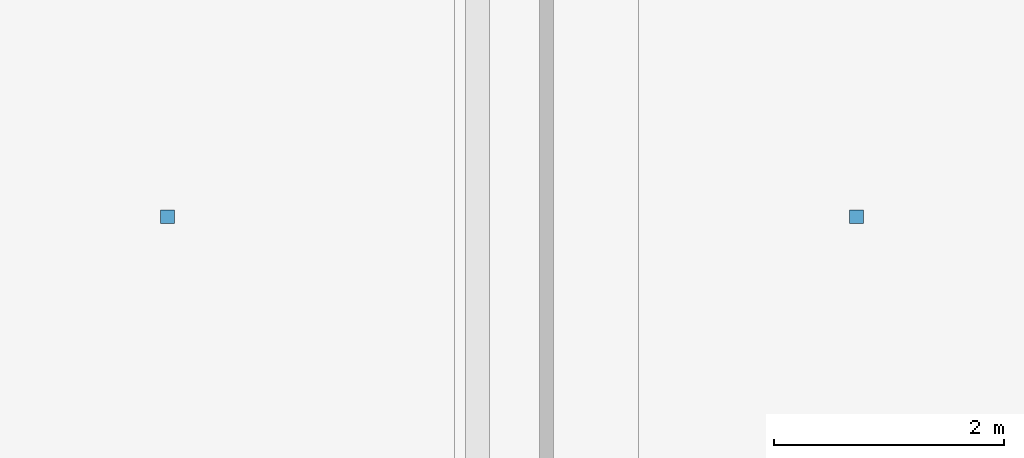
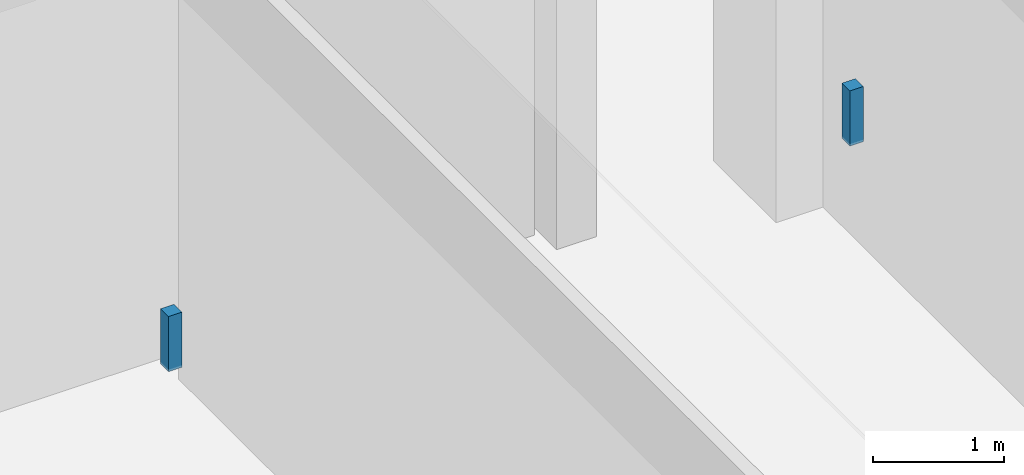
# One storey, part 79 of 120: 2 discrete accessories.
"""IFC4 building model written with IfcOpenShell, lengths in metres."""

from ifc_helpers import new_model, si_unit, direction, frame, origin, origin_2d, place, context, subcontext, project, spatial, rectangle, extrude, material, layer, layer_set, type_object, element, save


model = new_model("IFC4")

# Units and contexts
model_context = context("Model", 3, precision=1e-05, world=origin(), true_north=direction((0.0, 1.0)))
body_context = subcontext(model_context, "Body", "Model", "MODEL_VIEW")
ifc_project = project(units=[si_unit("LENGTHUNIT", "METRE"), si_unit("AREAUNIT", "SQUARE_METRE"), si_unit("VOLUMEUNIT", "CUBIC_METRE"), si_unit("PLANEANGLEUNIT", "RADIAN"), si_unit("MASSUNIT", "GRAM", prefix="KILO")], contexts=[model_context])

# Site, building, storey
site_placement = place(None, origin())
site = spatial("IfcSite", under=ifc_project, at=site_placement, CompositionType="ELEMENT")
building_placement = place(site_placement, origin())
building = spatial("IfcBuilding", under=site, at=building_placement, Name="Luwafu Chhajja Arena", CompositionType="ELEMENT")
storey_placement = place(building_placement, origin())
storey = spatial("IfcBuildingStorey", under=building, at=storey_placement, Name="L00", CompositionType="ELEMENT", Elevation=0.0)

# Discrete accessories
ifc_material = material(Name="Stainless steel bracket", Category="steel")
ifc_layer = layer(ifc_material, 0.179931640625, Name="Stainless steel bracket")
ifc_layer_set = layer_set([ifc_layer], Name="Stainless steel bracket")
discrete_accessory_type = type_object("IfcDiscreteAccessoryType", Name="Stainless Steel Facade Support Bracket", PredefinedType="BRACKET", material=ifc_layer_set)
for number, where, z_axis, x_axis, name in (
    (1, (37.300048828125, 71.5, 4.59619140625), (0.0, 0.0, 1.0), (1.0, 0.0, 0.0), "L00 Ceiling Suspension Hanger 006"),
    (2, (43.300048828125, 71.5, 4.59619140625), (0.0, 0.0, 1.0), (1.0, 0.0, 0.0), "L00 Ceiling Suspension Hanger 007"),
):
    element("IfcDiscreteAccessory", number, at=place(storey_placement, frame(where, z_axis=z_axis, x_axis=x_axis)), inside=storey, type_object=discrete_accessory_type, Name=name, PredefinedType="BRACKET", context=body_context, shape_type="SweptSolid", body=[
        extrude(rectangle(XDim=0.1201171875, YDim=0.1201171875, at=origin_2d()), origin(), (0.0, 0.0, 1.0), 0.513916015625),
    ])

save(model, "model.ifc")
